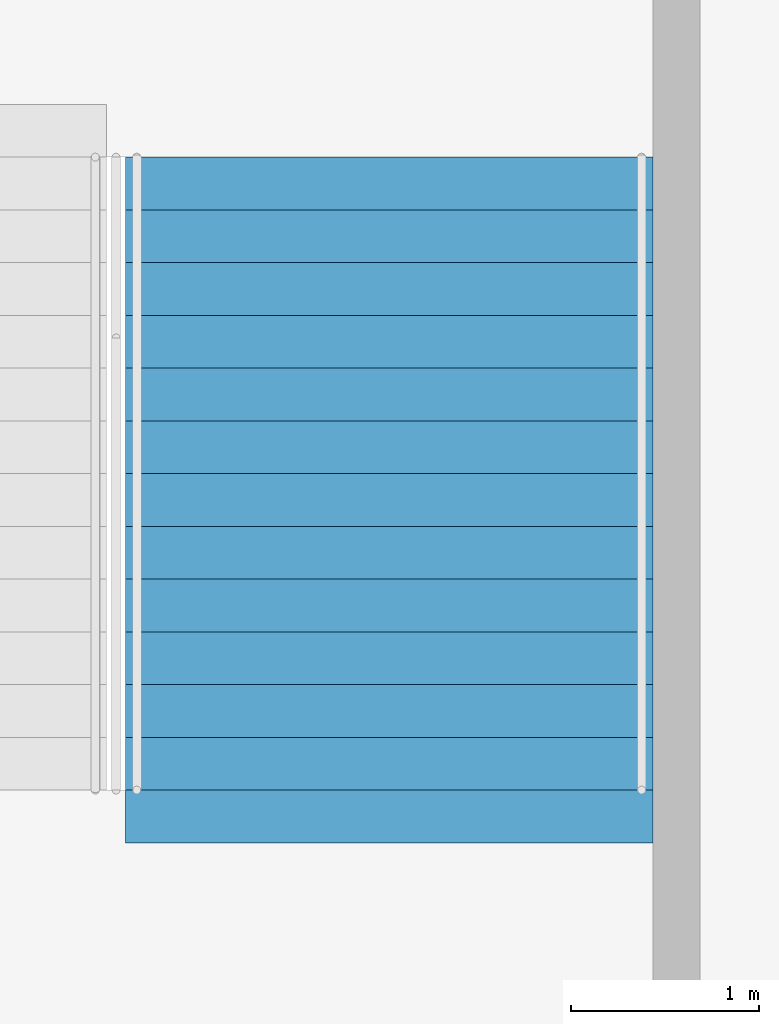
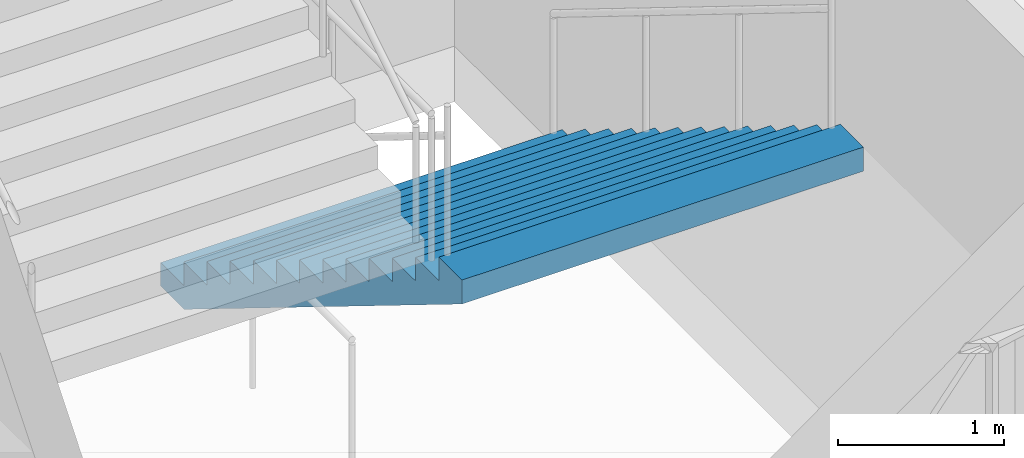
# One storey, part 124 of 199: 1 stair flight, 1 element without a shape of its own.
"""IFC4 building model written with IfcOpenShell, lengths in metres."""

from ifc_helpers import new_model, si_unit, direction, frame, origin, place, context, subcontext, project, spatial, faceted_brep, material, type_object, element, aggregate, save


model = new_model("IFC4")

# Units and contexts
model_context = context("Model", 3, precision=1e-05, world=origin(), true_north=direction((0.0, 1.0)))
body_context = subcontext(model_context, "Body", "Model", "MODEL_VIEW")
ifc_project = project(units=[si_unit("LENGTHUNIT", "METRE"), si_unit("AREAUNIT", "SQUARE_METRE"), si_unit("VOLUMEUNIT", "CUBIC_METRE"), si_unit("PLANEANGLEUNIT", "RADIAN"), si_unit("MASSUNIT", "GRAM", prefix="KILO")], contexts=[model_context])

# Site, building, storey
site_placement = place(None, origin())
site = spatial("IfcSite", under=ifc_project, at=site_placement, CompositionType="ELEMENT")
building_placement = place(site_placement, origin())
building = spatial("IfcBuilding", under=site, at=building_placement, Name="Ogive Plaza Stadium", CompositionType="ELEMENT")
storey_placement = place(building_placement, frame((0.0, 0.0, 9.0)))
storey = spatial("IfcBuildingStorey", under=building, at=storey_placement, Name="L02", CompositionType="ELEMENT", Elevation=9.0)

# Stair, stair flight
ifc_material_1 = material(Name="Concrete C40/50", Category="concrete")
stair_type = type_object("IfcStairType", Name="Exit stair", PredefinedType="STRAIGHT_RUN_STAIR", material=ifc_material_1)
stair_placement = place(storey_placement, origin())
stair = element("IfcStair", 1, at=stair_placement, inside=storey, type_object=stair_type, Name="Exit stair ST12B L02 to L03", PredefinedType="STRAIGHT_RUN_STAIR")
ifc_material_2 = material(Name="Concrete C40/50", Category="concrete")
stair_flight_type = type_object("IfcStairFlightType", Name="Exit stair flight", PredefinedType="STRAIGHT", material=ifc_material_2)
stair_flight_placement = place(storey_placement, frame((38.425048828125, -94.85009765625, 0.0), z_axis=(0.0, 0.0, 1.0), x_axis=(0.0, -1.0, 0.0)))
stair_flight = element("IfcStairFlight", 2, at=stair_flight_placement, type_object=stair_flight_type, Name="ST12B flight 1", NumberOfRisers=13, NumberOfTreads=12, PredefinedType="STRAIGHT", RiserHeight=0.173076923, TreadLength=0.28, context=body_context, shape_type="Brep", body=[
    faceted_brep([(0.28515625, -1.39990234375, 0.0), (3.639892578125, -1.39990234375, 2.07373046875), (3.639892578125, -1.39990234375, 2.25), (3.360107421875, -1.39990234375, 2.25), (3.360107421875, -1.39990234375, 2.076904296875), (3.080078125, -1.39990234375, 2.076904296875), (3.080078125, -1.39990234375, 1.90380859375), (2.800048828125, -1.39990234375, 1.90380859375), (2.800048828125, -1.39990234375, 1.730712890625), (2.52001953125, -1.39990234375, 1.730712890625), (2.52001953125, -1.39990234375, 1.5576171875), (2.239990234375, -1.39990234375, 1.5576171875), (2.239990234375, -1.39990234375, 1.384521484375), (1.9599609375, -1.39990234375, 1.384521484375), (1.9599609375, -1.39990234375, 1.21142578125), (1.679931640625, -1.39990234375, 1.21142578125), (1.679931640625, -1.39990234375, 1.03857421875), (1.39990234375, -1.39990234375, 1.03857421875), (1.39990234375, -1.39990234375, 0.865478515625), (1.1201171875, -1.39990234375, 0.865478515625), (1.1201171875, -1.39990234375, 0.6923828125), (0.840087890625, -1.39990234375, 0.6923828125), (0.840087890625, -1.39990234375, 0.519287109375), (0.56005859375, -1.39990234375, 0.519287109375), (0.56005859375, -1.39990234375, 0.34619140625), (0.280029296875, -1.39990234375, 0.34619140625), (0.280029296875, -1.39990234375, 0.173095703125), (0.0, -1.39990234375, 0.173095703125), (0.0, -1.39990234375, 0.0), (0.0, 1.39990234375, 0.0), (0.0, 1.39990234375, 0.173095703125), (0.280029296875, 1.39990234375, 0.173095703125), (0.280029296875, 1.39990234375, 0.34619140625), (0.56005859375, 1.39990234375, 0.34619140625), (0.56005859375, 1.39990234375, 0.519287109375), (0.840087890625, 1.39990234375, 0.519287109375), (0.840087890625, 1.39990234375, 0.6923828125), (1.1201171875, 1.39990234375, 0.6923828125), (1.1201171875, 1.39990234375, 0.865478515625), (1.39990234375, 1.39990234375, 0.865478515625), (1.39990234375, 1.39990234375, 1.03857421875), (1.679931640625, 1.39990234375, 1.03857421875), (1.679931640625, 1.39990234375, 1.21142578125), (1.9599609375, 1.39990234375, 1.21142578125), (1.9599609375, 1.39990234375, 1.384521484375), (2.239990234375, 1.39990234375, 1.384521484375), (2.239990234375, 1.39990234375, 1.5576171875), (2.52001953125, 1.39990234375, 1.5576171875), (2.52001953125, 1.39990234375, 1.730712890625), (2.800048828125, 1.39990234375, 1.730712890625), (2.800048828125, 1.39990234375, 1.90380859375), (3.080078125, 1.39990234375, 1.90380859375), (3.080078125, 1.39990234375, 2.076904296875), (3.360107421875, 1.39990234375, 2.076904296875), (3.360107421875, 1.39990234375, 2.25), (3.639892578125, 1.39990234375, 2.25), (3.639892578125, 1.39990234375, 2.07373046875), (0.28515625, 1.39990234375, 0.0), (0.28515625, -1.0888671875, 0.0), (3.639892578125, -1.0888671875, 2.07373046875), (0.28515625, -0.77783203125, 0.0), (3.639892578125, -0.77783203125, 2.07373046875), (0.28515625, -0.466796875, 0.0), (3.639892578125, -0.466796875, 2.07373046875), (0.28515625, -0.155517578125, 0.0), (3.639892578125, -0.155517578125, 2.07373046875), (0.28515625, 0.155517578125, 0.0), (3.639892578125, 0.155517578125, 2.07373046875), (0.28515625, 0.466796875, 0.0), (3.639892578125, 0.466796875, 2.07373046875), (0.28515625, 0.77783203125, 0.0), (3.639892578125, 0.77783203125, 2.07373046875), (0.28515625, 1.0888671875, 0.0), (3.639892578125, 1.0888671875, 2.07373046875), (3.639892578125, -1.0888671875, 2.25), (3.639892578125, -0.77783203125, 2.25), (3.639892578125, -0.466796875, 2.25), (3.639892578125, -0.155517578125, 2.25), (3.639892578125, 0.155517578125, 2.25), (3.639892578125, 0.466796875, 2.25), (3.639892578125, 0.77783203125, 2.25), (3.639892578125, 1.0888671875, 2.25), (3.360107421875, -1.0888671875, 2.25), (3.360107421875, -0.77783203125, 2.25), (3.360107421875, -0.466796875, 2.25), (3.360107421875, -0.155517578125, 2.25), (3.360107421875, 0.155517578125, 2.25), (3.360107421875, 0.466796875, 2.25), (3.360107421875, 0.77783203125, 2.25), (3.360107421875, 1.0888671875, 2.25), (3.360107421875, -1.0888671875, 2.076904296875), (3.360107421875, -0.77783203125, 2.076904296875), (3.360107421875, -0.466796875, 2.076904296875), (3.360107421875, -0.155517578125, 2.076904296875), (3.360107421875, 0.155517578125, 2.076904296875), (3.360107421875, 0.466796875, 2.076904296875), (3.360107421875, 0.77783203125, 2.076904296875), (3.360107421875, 1.0888671875, 2.076904296875), (3.080078125, -1.0888671875, 2.076904296875), (3.080078125, -0.77783203125, 2.076904296875), (3.080078125, -0.466796875, 2.076904296875), (3.080078125, -0.155517578125, 2.076904296875), (3.080078125, 0.155517578125, 2.076904296875), (3.080078125, 0.466796875, 2.076904296875), (3.080078125, 0.77783203125, 2.076904296875), (3.080078125, 1.0888671875, 2.076904296875), (3.080078125, -1.0888671875, 1.90380859375), (3.080078125, -0.77783203125, 1.90380859375), (3.080078125, -0.466796875, 1.90380859375), (3.080078125, -0.155517578125, 1.90380859375), (3.080078125, 0.155517578125, 1.90380859375), (3.080078125, 0.466796875, 1.90380859375), (3.080078125, 0.77783203125, 1.90380859375), (3.080078125, 1.0888671875, 1.90380859375), (2.800048828125, -1.0888671875, 1.90380859375), (2.800048828125, -0.77783203125, 1.90380859375), (2.800048828125, -0.466796875, 1.90380859375), (2.800048828125, -0.155517578125, 1.90380859375), (2.800048828125, 0.155517578125, 1.90380859375), (2.800048828125, 0.466796875, 1.90380859375), (2.800048828125, 0.77783203125, 1.90380859375), (2.800048828125, 1.0888671875, 1.90380859375), (2.800048828125, -1.0888671875, 1.730712890625), (2.800048828125, -0.77783203125, 1.730712890625), (2.800048828125, -0.466796875, 1.730712890625), (2.800048828125, -0.155517578125, 1.730712890625), (2.800048828125, 0.155517578125, 1.730712890625), (2.800048828125, 0.466796875, 1.730712890625), (2.800048828125, 0.77783203125, 1.730712890625), (2.800048828125, 1.0888671875, 1.730712890625), (2.52001953125, -1.0888671875, 1.730712890625), (2.52001953125, -0.77783203125, 1.730712890625), (2.52001953125, -0.466796875, 1.730712890625), (2.52001953125, -0.155517578125, 1.730712890625), (2.52001953125, 0.155517578125, 1.730712890625), (2.52001953125, 0.466796875, 1.730712890625), (2.52001953125, 0.77783203125, 1.730712890625), (2.52001953125, 1.0888671875, 1.730712890625), (2.52001953125, -1.0888671875, 1.5576171875), (2.52001953125, -0.77783203125, 1.5576171875), (2.52001953125, -0.466796875, 1.5576171875), (2.52001953125, -0.155517578125, 1.5576171875), (2.52001953125, 0.155517578125, 1.5576171875), (2.52001953125, 0.466796875, 1.5576171875), (2.52001953125, 0.77783203125, 1.5576171875), (2.52001953125, 1.0888671875, 1.5576171875), (2.239990234375, -1.0888671875, 1.5576171875), (2.239990234375, -0.77783203125, 1.5576171875), (2.239990234375, -0.466796875, 1.5576171875), (2.239990234375, -0.155517578125, 1.5576171875), (2.239990234375, 0.155517578125, 1.5576171875), (2.239990234375, 0.466796875, 1.5576171875), (2.239990234375, 0.77783203125, 1.5576171875), (2.239990234375, 1.0888671875, 1.5576171875), (2.239990234375, -1.0888671875, 1.384521484375), (2.239990234375, -0.77783203125, 1.384521484375), (2.239990234375, -0.466796875, 1.384521484375), (2.239990234375, -0.155517578125, 1.384521484375), (2.239990234375, 0.155517578125, 1.384521484375), (2.239990234375, 0.466796875, 1.384521484375), (2.239990234375, 0.77783203125, 1.384521484375), (2.239990234375, 1.0888671875, 1.384521484375), (1.9599609375, -1.0888671875, 1.384521484375), (1.9599609375, -0.77783203125, 1.384521484375), (1.9599609375, -0.466796875, 1.384521484375), (1.9599609375, -0.155517578125, 1.384521484375), (1.9599609375, 0.155517578125, 1.384521484375), (1.9599609375, 0.466796875, 1.384521484375), (1.9599609375, 0.77783203125, 1.384521484375), (1.9599609375, 1.0888671875, 1.384521484375), (1.9599609375, -1.0888671875, 1.21142578125), (1.9599609375, -0.77783203125, 1.21142578125), (1.9599609375, -0.466796875, 1.21142578125), (1.9599609375, -0.155517578125, 1.21142578125), (1.9599609375, 0.155517578125, 1.21142578125), (1.9599609375, 0.466796875, 1.21142578125), (1.9599609375, 0.77783203125, 1.21142578125), (1.9599609375, 1.0888671875, 1.21142578125), (1.679931640625, -1.0888671875, 1.21142578125), (1.679931640625, -0.77783203125, 1.21142578125), (1.679931640625, -0.466796875, 1.21142578125), (1.679931640625, -0.155517578125, 1.21142578125), (1.679931640625, 0.155517578125, 1.21142578125), (1.679931640625, 0.466796875, 1.21142578125), (1.679931640625, 0.77783203125, 1.21142578125), (1.679931640625, 1.0888671875, 1.21142578125), (1.679931640625, -1.0888671875, 1.03857421875), (1.679931640625, -0.77783203125, 1.03857421875), (1.679931640625, -0.466796875, 1.03857421875), (1.679931640625, -0.155517578125, 1.03857421875), (1.679931640625, 0.155517578125, 1.03857421875), (1.679931640625, 0.466796875, 1.03857421875), (1.679931640625, 0.77783203125, 1.03857421875), (1.679931640625, 1.0888671875, 1.03857421875), (1.39990234375, -1.0888671875, 1.03857421875), (1.39990234375, -0.77783203125, 1.03857421875), (1.39990234375, -0.466796875, 1.03857421875), (1.39990234375, -0.155517578125, 1.03857421875), (1.39990234375, 0.155517578125, 1.03857421875), (1.39990234375, 0.466796875, 1.03857421875), (1.39990234375, 0.77783203125, 1.03857421875), (1.39990234375, 1.0888671875, 1.03857421875), (1.39990234375, -1.0888671875, 0.865478515625), (1.39990234375, -0.77783203125, 0.865478515625), (1.39990234375, -0.466796875, 0.865478515625), (1.39990234375, -0.155517578125, 0.865478515625), (1.39990234375, 0.155517578125, 0.865478515625), (1.39990234375, 0.466796875, 0.865478515625), (1.39990234375, 0.77783203125, 0.865478515625), (1.39990234375, 1.0888671875, 0.865478515625), (1.1201171875, -1.0888671875, 0.865478515625), (1.1201171875, -0.77783203125, 0.865478515625), (1.1201171875, -0.466796875, 0.865478515625), (1.1201171875, -0.155517578125, 0.865478515625), (1.1201171875, 0.155517578125, 0.865478515625), (1.1201171875, 0.466796875, 0.865478515625), (1.1201171875, 0.77783203125, 0.865478515625), (1.1201171875, 1.0888671875, 0.865478515625), (1.1201171875, -1.0888671875, 0.6923828125), (1.1201171875, -0.77783203125, 0.6923828125), (1.1201171875, -0.466796875, 0.6923828125), (1.1201171875, -0.155517578125, 0.6923828125), (1.1201171875, 0.155517578125, 0.6923828125), (1.1201171875, 0.466796875, 0.6923828125), (1.1201171875, 0.77783203125, 0.6923828125), (1.1201171875, 1.0888671875, 0.6923828125), (0.840087890625, -1.0888671875, 0.6923828125), (0.840087890625, -0.77783203125, 0.6923828125), (0.840087890625, -0.466796875, 0.6923828125), (0.840087890625, -0.155517578125, 0.6923828125), (0.840087890625, 0.155517578125, 0.6923828125), (0.840087890625, 0.466796875, 0.6923828125), (0.840087890625, 0.77783203125, 0.6923828125), (0.840087890625, 1.0888671875, 0.6923828125), (0.840087890625, -1.0888671875, 0.519287109375), (0.840087890625, -0.77783203125, 0.519287109375), (0.840087890625, -0.466796875, 0.519287109375), (0.840087890625, -0.155517578125, 0.519287109375), (0.840087890625, 0.155517578125, 0.519287109375), (0.840087890625, 0.466796875, 0.519287109375), (0.840087890625, 0.77783203125, 0.519287109375), (0.840087890625, 1.0888671875, 0.519287109375), (0.56005859375, -1.0888671875, 0.519287109375), (0.56005859375, -0.77783203125, 0.519287109375), (0.56005859375, -0.466796875, 0.519287109375), (0.56005859375, -0.155517578125, 0.519287109375), (0.56005859375, 0.155517578125, 0.519287109375), (0.56005859375, 0.466796875, 0.519287109375), (0.56005859375, 0.77783203125, 0.519287109375), (0.56005859375, 1.0888671875, 0.519287109375), (0.56005859375, -1.0888671875, 0.34619140625), (0.56005859375, -0.77783203125, 0.34619140625), (0.56005859375, -0.466796875, 0.34619140625), (0.56005859375, -0.155517578125, 0.34619140625), (0.56005859375, 0.155517578125, 0.34619140625), (0.56005859375, 0.466796875, 0.34619140625), (0.56005859375, 0.77783203125, 0.34619140625), (0.56005859375, 1.0888671875, 0.34619140625), (0.280029296875, -1.0888671875, 0.34619140625), (0.280029296875, -0.77783203125, 0.34619140625), (0.280029296875, -0.466796875, 0.34619140625), (0.280029296875, -0.155517578125, 0.34619140625), (0.280029296875, 0.155517578125, 0.34619140625), (0.280029296875, 0.466796875, 0.34619140625), (0.280029296875, 0.77783203125, 0.34619140625), (0.280029296875, 1.0888671875, 0.34619140625), (0.280029296875, -1.0888671875, 0.173095703125), (0.280029296875, -0.77783203125, 0.173095703125), (0.280029296875, -0.466796875, 0.173095703125), (0.280029296875, -0.155517578125, 0.173095703125), (0.280029296875, 0.155517578125, 0.173095703125), (0.280029296875, 0.466796875, 0.173095703125), (0.280029296875, 0.77783203125, 0.173095703125), (0.280029296875, 1.0888671875, 0.173095703125), (0.0, -1.0888671875, 0.173095703125), (0.0, -0.77783203125, 0.173095703125), (0.0, -0.466796875, 0.173095703125), (0.0, -0.155517578125, 0.173095703125), (0.0, 0.155517578125, 0.173095703125), (0.0, 0.466796875, 0.173095703125), (0.0, 0.77783203125, 0.173095703125), (0.0, 1.0888671875, 0.173095703125), (0.0, -1.0888671875, 0.0), (0.0, -0.77783203125, 0.0), (0.0, -0.466796875, 0.0), (0.0, -0.155517578125, 0.0), (0.0, 0.155517578125, 0.0), (0.0, 0.466796875, 0.0), (0.0, 0.77783203125, 0.0), (0.0, 1.0888671875, 0.0)], [[[0, 1, 2, 3, 4, 5, 6, 7, 8, 9, 10, 11, 12, 13, 14, 15, 16, 17, 18, 19, 20, 21, 22, 23, 24, 25, 26, 27, 28]], [[29, 30, 31, 32, 33, 34, 35, 36, 37, 38, 39, 40, 41, 42, 43, 44, 45, 46, 47, 48, 49, 50, 51, 52, 53, 54, 55, 56, 57]], [[0, 58, 59, 1]], [[58, 60, 61, 59]], [[60, 62, 63, 61]], [[62, 64, 65, 63]], [[64, 66, 67, 65]], [[66, 68, 69, 67]], [[68, 70, 71, 69]], [[70, 72, 73, 71]], [[72, 57, 56, 73]], [[1, 59, 74, 2]], [[59, 61, 75, 74]], [[61, 63, 76, 75]], [[63, 65, 77, 76]], [[65, 67, 78, 77]], [[67, 69, 79, 78]], [[69, 71, 80, 79]], [[71, 73, 81, 80]], [[73, 56, 55, 81]], [[2, 74, 82, 3]], [[74, 75, 83, 82]], [[75, 76, 84, 83]], [[76, 77, 85, 84]], [[77, 78, 86, 85]], [[78, 79, 87, 86]], [[79, 80, 88, 87]], [[80, 81, 89, 88]], [[81, 55, 54, 89]], [[3, 82, 90, 4]], [[82, 83, 91, 90]], [[83, 84, 92, 91]], [[84, 85, 93, 92]], [[85, 86, 94, 93]], [[86, 87, 95, 94]], [[87, 88, 96, 95]], [[88, 89, 97, 96]], [[89, 54, 53, 97]], [[4, 90, 98, 5]], [[90, 91, 99, 98]], [[91, 92, 100, 99]], [[92, 93, 101, 100]], [[93, 94, 102, 101]], [[94, 95, 103, 102]], [[95, 96, 104, 103]], [[96, 97, 105, 104]], [[97, 53, 52, 105]], [[5, 98, 106, 6]], [[98, 99, 107, 106]], [[99, 100, 108, 107]], [[100, 101, 109, 108]], [[101, 102, 110, 109]], [[102, 103, 111, 110]], [[103, 104, 112, 111]], [[104, 105, 113, 112]], [[105, 52, 51, 113]], [[6, 106, 114, 7]], [[106, 107, 115, 114]], [[107, 108, 116, 115]], [[108, 109, 117, 116]], [[109, 110, 118, 117]], [[110, 111, 119, 118]], [[111, 112, 120, 119]], [[112, 113, 121, 120]], [[113, 51, 50, 121]], [[7, 114, 122, 8]], [[114, 115, 123, 122]], [[115, 116, 124, 123]], [[116, 117, 125, 124]], [[117, 118, 126, 125]], [[118, 119, 127, 126]], [[119, 120, 128, 127]], [[120, 121, 129, 128]], [[121, 50, 49, 129]], [[8, 122, 130, 9]], [[122, 123, 131, 130]], [[123, 124, 132, 131]], [[124, 125, 133, 132]], [[125, 126, 134, 133]], [[126, 127, 135, 134]], [[127, 128, 136, 135]], [[128, 129, 137, 136]], [[129, 49, 48, 137]], [[9, 130, 138, 10]], [[130, 131, 139, 138]], [[131, 132, 140, 139]], [[132, 133, 141, 140]], [[133, 134, 142, 141]], [[134, 135, 143, 142]], [[135, 136, 144, 143]], [[136, 137, 145, 144]], [[137, 48, 47, 145]], [[10, 138, 146, 11]], [[138, 139, 147, 146]], [[139, 140, 148, 147]], [[140, 141, 149, 148]], [[141, 142, 150, 149]], [[142, 143, 151, 150]], [[143, 144, 152, 151]], [[144, 145, 153, 152]], [[145, 47, 46, 153]], [[11, 146, 154, 12]], [[146, 147, 155, 154]], [[147, 148, 156, 155]], [[148, 149, 157, 156]], [[149, 150, 158, 157]], [[150, 151, 159, 158]], [[151, 152, 160, 159]], [[152, 153, 161, 160]], [[153, 46, 45, 161]], [[12, 154, 162, 13]], [[154, 155, 163, 162]], [[155, 156, 164, 163]], [[156, 157, 165, 164]], [[157, 158, 166, 165]], [[158, 159, 167, 166]], [[159, 160, 168, 167]], [[160, 161, 169, 168]], [[161, 45, 44, 169]], [[13, 162, 170, 14]], [[162, 163, 171, 170]], [[163, 164, 172, 171]], [[164, 165, 173, 172]], [[165, 166, 174, 173]], [[166, 167, 175, 174]], [[167, 168, 176, 175]], [[168, 169, 177, 176]], [[169, 44, 43, 177]], [[14, 170, 178, 15]], [[170, 171, 179, 178]], [[171, 172, 180, 179]], [[172, 173, 181, 180]], [[173, 174, 182, 181]], [[174, 175, 183, 182]], [[175, 176, 184, 183]], [[176, 177, 185, 184]], [[177, 43, 42, 185]], [[15, 178, 186, 16]], [[178, 179, 187, 186]], [[179, 180, 188, 187]], [[180, 181, 189, 188]], [[181, 182, 190, 189]], [[182, 183, 191, 190]], [[183, 184, 192, 191]], [[184, 185, 193, 192]], [[185, 42, 41, 193]], [[16, 186, 194, 17]], [[186, 187, 195, 194]], [[187, 188, 196, 195]], [[188, 189, 197, 196]], [[189, 190, 198, 197]], [[190, 191, 199, 198]], [[191, 192, 200, 199]], [[192, 193, 201, 200]], [[193, 41, 40, 201]], [[17, 194, 202, 18]], [[194, 195, 203, 202]], [[195, 196, 204, 203]], [[196, 197, 205, 204]], [[197, 198, 206, 205]], [[198, 199, 207, 206]], [[199, 200, 208, 207]], [[200, 201, 209, 208]], [[201, 40, 39, 209]], [[18, 202, 210, 19]], [[202, 203, 211, 210]], [[203, 204, 212, 211]], [[204, 205, 213, 212]], [[205, 206, 214, 213]], [[206, 207, 215, 214]], [[207, 208, 216, 215]], [[208, 209, 217, 216]], [[209, 39, 38, 217]], [[19, 210, 218, 20]], [[210, 211, 219, 218]], [[211, 212, 220, 219]], [[212, 213, 221, 220]], [[213, 214, 222, 221]], [[214, 215, 223, 222]], [[215, 216, 224, 223]], [[216, 217, 225, 224]], [[217, 38, 37, 225]], [[20, 218, 226, 21]], [[218, 219, 227, 226]], [[219, 220, 228, 227]], [[220, 221, 229, 228]], [[221, 222, 230, 229]], [[222, 223, 231, 230]], [[223, 224, 232, 231]], [[224, 225, 233, 232]], [[225, 37, 36, 233]], [[21, 226, 234, 22]], [[226, 227, 235, 234]], [[227, 228, 236, 235]], [[228, 229, 237, 236]], [[229, 230, 238, 237]], [[230, 231, 239, 238]], [[231, 232, 240, 239]], [[232, 233, 241, 240]], [[233, 36, 35, 241]], [[22, 234, 242, 23]], [[234, 235, 243, 242]], [[235, 236, 244, 243]], [[236, 237, 245, 244]], [[237, 238, 246, 245]], [[238, 239, 247, 246]], [[239, 240, 248, 247]], [[240, 241, 249, 248]], [[241, 35, 34, 249]], [[23, 242, 250, 24]], [[242, 243, 251, 250]], [[243, 244, 252, 251]], [[244, 245, 253, 252]], [[245, 246, 254, 253]], [[246, 247, 255, 254]], [[247, 248, 256, 255]], [[248, 249, 257, 256]], [[249, 34, 33, 257]], [[24, 250, 258, 25]], [[250, 251, 259, 258]], [[251, 252, 260, 259]], [[252, 253, 261, 260]], [[253, 254, 262, 261]], [[254, 255, 263, 262]], [[255, 256, 264, 263]], [[256, 257, 265, 264]], [[257, 33, 32, 265]], [[25, 258, 266, 26]], [[258, 259, 267, 266]], [[259, 260, 268, 267]], [[260, 261, 269, 268]], [[261, 262, 270, 269]], [[262, 263, 271, 270]], [[263, 264, 272, 271]], [[264, 265, 273, 272]], [[265, 32, 31, 273]], [[26, 266, 274, 27]], [[266, 267, 275, 274]], [[267, 268, 276, 275]], [[268, 269, 277, 276]], [[269, 270, 278, 277]], [[270, 271, 279, 278]], [[271, 272, 280, 279]], [[272, 273, 281, 280]], [[273, 31, 30, 281]], [[27, 274, 282, 28]], [[274, 275, 283, 282]], [[275, 276, 284, 283]], [[276, 277, 285, 284]], [[277, 278, 286, 285]], [[278, 279, 287, 286]], [[279, 280, 288, 287]], [[280, 281, 289, 288]], [[281, 30, 29, 289]], [[28, 282, 58, 0]], [[282, 283, 60, 58]], [[283, 284, 62, 60]], [[284, 285, 64, 62]], [[285, 286, 66, 64]], [[286, 287, 68, 66]], [[287, 288, 70, 68]], [[288, 289, 72, 70]], [[289, 29, 57, 72]]]),
])
aggregate(stair, [stair_flight])

save(model, "model.ifc")
